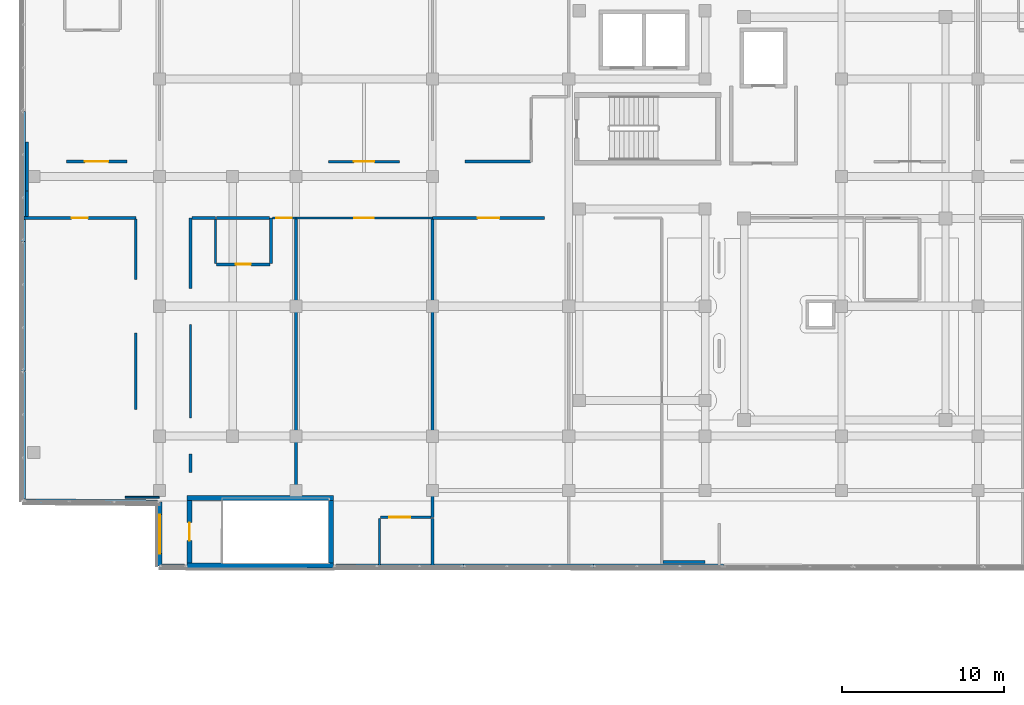
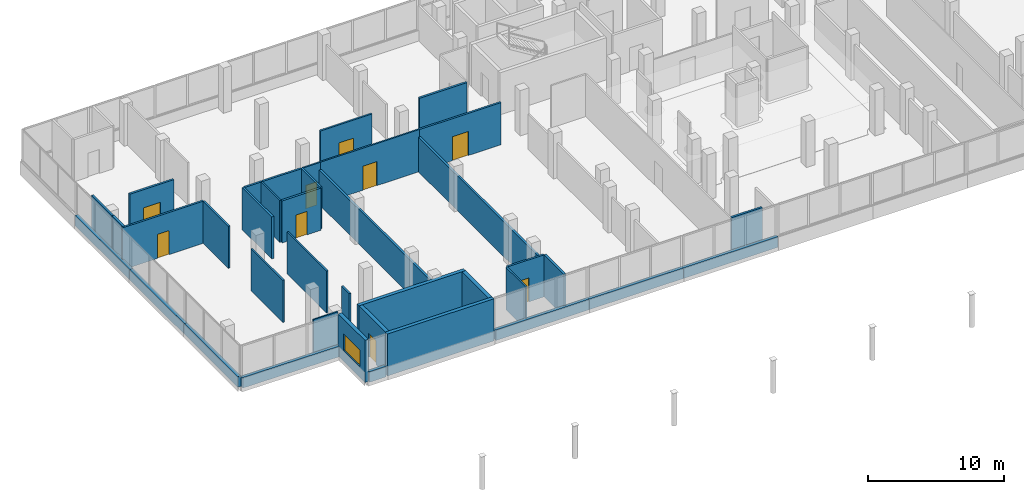
# One storey, part 84 of 101: 39 walls, 9 doors, 1 window, 10 openings.
"""IFC4 building model written with IfcOpenShell, lengths in metres."""

from ifc_helpers import new_model, si_unit, direction, frame, frame_2d, origin, place, context, subcontext, project, spatial, rectangle, extrude, material, layer, layer_set, type_object, element, fill, save


model = new_model("IFC4")

# Units and contexts
model_context = context("Model", 3, precision=1e-05, world=origin(), true_north=direction((0.0, 1.0)))
body_context = subcontext(model_context, "Body", "Model", "MODEL_VIEW")
ifc_project = project(units=[si_unit("LENGTHUNIT", "METRE"), si_unit("AREAUNIT", "SQUARE_METRE"), si_unit("VOLUMEUNIT", "CUBIC_METRE"), si_unit("PLANEANGLEUNIT", "RADIAN"), si_unit("MASSUNIT", "GRAM", prefix="KILO")], contexts=[model_context])

# Site, building, storey
site_placement = place(None, origin())
site = spatial("IfcSite", under=ifc_project, at=site_placement, CompositionType="ELEMENT")
building_placement = place(site_placement, origin())
building = spatial("IfcBuilding", under=site, at=building_placement, Name="Selatvlak General Hospital", CompositionType="ELEMENT")
storey_placement = place(building_placement, frame((0.0, 0.0, 19.199951171875)))
storey = spatial("IfcBuildingStorey", under=building, at=storey_placement, Name="L04", CompositionType="ELEMENT", Elevation=19.199951171875)

# Wall, opening, window
ifc_material_1 = material(Name="Precast concrete C40/50 - white fair-faced", Category="concrete")
ifc_layer_1 = layer(ifc_material_1, 0.300048828125, Name="Precast concrete C40/50 - white fair-faced", Category="concrete")
ifc_layer_set_1 = layer_set([ifc_layer_1], Name="Precast concrete C40/50 - white fair-faced")
wall_type_1 = type_object("IfcWallType", Name="WALL-EW-01", PredefinedType="SOLIDWALL", material=ifc_layer_set_1)
wall_1_placement = place(storey_placement, frame((22.801025390625, 84.0, 0.0), z_axis=(0.0, 0.0, 1.0), x_axis=(-0.000247862181, 0.999999969282, 0.0)))
wall_1 = element("IfcWall", 1, at=wall_1_placement, inside=storey, type_object=wall_type_1, Name="L04 exterior wall 0474", PredefinedType="SOLIDWALL", context=body_context, shape_type="SweptSolid", body=[
    extrude(rectangle(XDim=3.93994140625, YDim=0.300048828125, at=frame_2d((1.969970703125, 0.0))), origin(), (0.0, 0.0, 1.0), 3.77001953125),
])
opening_1_placement = place(wall_1_placement, frame((0.77001953125, 0.0, 0.9599609375)))
opening_1 = element("IfcOpeningElement", 2, at=opening_1_placement, cuts=wall_1, Name="Opening WN-07", PredefinedType="OPENING", context=body_context, shape_type="SweptSolid", body=[
    extrude(rectangle(XDim=2.39990234375, YDim=1.5, at=frame_2d((1.199951171875, 0.75))), frame((0.0, 0.159912109375, 0.0), z_axis=(0.0, -1.0, 0.0), x_axis=(1.0, 0.0, 0.0)), (0.0, 0.0, 1.0), 0.320068359375),
])
ifc_material_2 = material(Name="Thermally broken aluminium Low-E window", Category="aluminium")
window_type = type_object("IfcWindowType", Name="WIN-WN-07", PartitioningType="SINGLE_PANEL", PredefinedType="WINDOW", material=ifc_material_2)
window_placement = place(opening_1_placement, origin())
window = element("IfcWindow", 3, at=window_placement, inside=storey, type_object=window_type, Name="L04 clinical facade window 0096", OverallHeight=1.5, OverallWidth=2.39990234375, PartitioningType="SINGLE_PANEL", PredefinedType="WINDOW", context=body_context, shape_type="SweptSolid", body=[
    extrude(rectangle(XDim=2.39990234375, YDim=1.5, at=frame_2d((1.199951171875, 0.75))), frame((0.0, 0.030029296875, 0.0), z_axis=(0.0, -1.0, 0.0), x_axis=(1.0, 0.0, 0.0)), (0.0, 0.0, 1.0), 0.06005859375),
])
fill(opening_1, window)

# Walls
ifc_material_3 = material(Name="Precast concrete C40/50 - white Bauhaus spandrel", Category="concrete")
ifc_layer_2 = layer(ifc_material_3, 0.280029296875, Name="Precast concrete C40/50 - white Bauhaus spandrel", Category="concrete")
ifc_layer_set_2 = layer_set([ifc_layer_2], Name="Precast concrete C40/50 - white Bauhaus spandrel")
wall_type_2 = type_object("IfcWallType", Name="WALL-EW-02", PredefinedType="SOLIDWALL", material=ifc_layer_set_2)
wall_2_placement = place(storey_placement, frame((14.39990234375, 88.139892578125, 0.0), z_axis=(0.0, 0.0, 1.0), x_axis=(0.0, 1.0, 0.0)))
element("IfcWall", 4, at=wall_2_placement, inside=storey, type_object=wall_type_2, Name="L04 Bauhaus spandrel sill wall 0426", PredefinedType="SOLIDWALL", context=body_context, shape_type="SweptSolid", body=[
    extrude(rectangle(XDim=7.858154296875, YDim=0.280029296875, at=frame_2d((3.92919921875, 0.0))), origin(), (0.0, 0.0, 1.0), 0.93994140625),
])
wall_3_placement = place(storey_placement, frame((14.39990234375, 96.001953125, 0.0), z_axis=(0.0, 0.0, 1.0), x_axis=(0.0, 1.0, 0.0)))
element("IfcWall", 5, at=wall_3_placement, inside=storey, type_object=wall_type_2, Name="L04 Bauhaus spandrel sill wall 0427", PredefinedType="SOLIDWALL", context=body_context, shape_type="SweptSolid", body=[
    extrude(rectangle(XDim=7.9951171875, YDim=0.280029296875, at=frame_2d((3.99755859375, 0.0))), origin(), (0.0, 0.0, 1.0), 0.93994140625),
])
wall_4_placement = place(storey_placement, frame((14.39990234375, 104.0009765625, 0.0), z_axis=(0.0, 0.0, 1.0), x_axis=(0.0, 1.0, 0.0)))
element("IfcWall", 6, at=wall_4_placement, inside=storey, type_object=wall_type_2, Name="L04 Bauhaus spandrel sill wall 0428", PredefinedType="SOLIDWALL", context=body_context, shape_type="SweptSolid", body=[
    extrude(rectangle(XDim=7.99609375, YDim=0.280029296875, at=frame_2d((3.998046875, 0.0))), origin(), (0.0, 0.0, 1.0), 0.93994140625),
])
for number, where, z_axis, x_axis, name in (
    (7, (57.5419921875, 83.97705078125, 0.0), (0.0, 0.0, 1.0), (-0.999999813917, 0.000610053571, 0.0), "L04 Bauhaus spandrel sill wall 0470"),
    (8, (49.533935546875, 83.98193359375, 0.0), (0.0, 0.0, 1.0), (-0.999999709246, 0.000762566884, 0.0), "L04 Bauhaus spandrel sill wall 0471"),
):
    element("IfcWall", number, at=place(storey_placement, frame(where, z_axis=z_axis, x_axis=x_axis)), inside=storey, type_object=wall_type_2, Name=name, PredefinedType="SOLIDWALL", context=body_context, shape_type="SweptSolid", body=[
        extrude(rectangle(XDim=8.00390625, YDim=0.280029296875, at=frame_2d((4.001953125, 0.0))), origin(), (0.0, 0.0, 1.0), 0.93994140625),
    ])
wall_5_placement = place(storey_placement, frame((41.52587890625, 83.988037109375, 0.0), z_axis=(0.0, 0.0, 1.0), x_axis=(-0.999999807334, 0.000620751611, 0.0)))
element("IfcWall", 9, at=wall_5_placement, inside=storey, type_object=wall_type_2, Name="L04 Bauhaus spandrel sill wall 0472", PredefinedType="SOLIDWALL", context=body_context, shape_type="SweptSolid", body=[
    extrude(rectangle(XDim=7.865966796875, YDim=0.280029296875, at=frame_2d((3.93310546875, 0.0))), origin(), (0.0, 0.0, 1.0), 0.93994140625),
])
wall_6_placement = place(storey_placement, frame((24.340087890625, 83.9990234375, 0.0), z_axis=(0.0, 0.0, 1.0), x_axis=(-0.999999756427, 0.000697958301, 0.0)))
element("IfcWall", 10, at=wall_6_placement, inside=storey, type_object=wall_type_2, Name="L04 Bauhaus spandrel sill wall 0473", PredefinedType="SOLIDWALL", context=body_context, shape_type="SweptSolid", body=[
    extrude(rectangle(XDim=1.399169921875, YDim=0.280029296875, at=frame_2d((0.69970703125, 0.0))), origin(), (0.0, 0.0, 1.0), 0.93994140625),
])
wall_7_placement = place(storey_placement, frame((22.659912109375, 87.94091796875, 0.0), z_axis=(0.0, 0.0, 1.0), x_axis=(-0.999974397117, 0.007155774573, 0.0)))
element("IfcWall", 11, at=wall_7_placement, inside=storey, type_object=wall_type_2, Name="L04 Bauhaus spandrel sill wall 0475", PredefinedType="SOLIDWALL", context=body_context, shape_type="SweptSolid", body=[
    extrude(rectangle(XDim=8.1201171875, YDim=0.280029296875, at=frame_2d((4.06005859375, 0.0))), origin(), (0.0, 0.0, 1.0), 0.93994140625),
])
ifc_material_4 = material(Name="Acoustic gypsum stud partition")
ifc_layer_3 = layer(ifc_material_4, 0.179931640625, Name="Acoustic gypsum stud partition")
ifc_layer_set_3 = layer_set([ifc_layer_3], Name="Acoustic gypsum stud partition")
wall_type_3 = type_object("IfcWallType", Name="WALL-PT-01", PredefinedType="PARTITIONING", material=ifc_layer_set_3)
wall_8_placement = place(storey_placement, frame((14.639892578125, 107.10009765625, 0.0), z_axis=(0.0, 0.0, 1.0), x_axis=(0.0, -1.0, 0.0)))
element("IfcWall", 12, at=wall_8_placement, inside=storey, type_object=wall_type_3, Name="L04 clinical partition PT-L04-1695", PredefinedType="PARTITIONING", context=body_context, shape_type="SweptSolid", body=[
    extrude(rectangle(XDim=1.5810546875, YDim=0.179931640625, at=frame_2d((0.79052734375, 0.0))), origin(), (0.0, 0.0, 1.0), 3.77001953125),
])
wall_9_placement = place(storey_placement, frame((24.7099609375, 101.10693359375, 0.0), z_axis=(0.0, 0.0, 1.0), x_axis=(0.0, 1.0, 0.0)))
element("IfcWall", 13, at=wall_9_placement, inside=storey, type_object=wall_type_3, Name="L04 clinical partition PT-L04-1698", PredefinedType="PARTITIONING", context=body_context, shape_type="SweptSolid", body=[
    extrude(rectangle(XDim=4.3330078125, YDim=0.179931640625, at=frame_2d((2.16650390625, 0.0))), origin(), (0.0, 0.0, 1.0), 3.77001953125),
])

# Wall, opening, door
wall_10_placement = place(storey_placement, frame((26.304931640625, 102.580078125, 0.0), z_axis=(0.0, 0.0, 1.0), x_axis=(1.0, 0.0, 0.0)))
wall_10 = element("IfcWall", 14, at=wall_10_placement, inside=storey, type_object=wall_type_3, Name="L04 clinical partition PT-L04-1701", PredefinedType="PARTITIONING", context=body_context, shape_type="SweptSolid", body=[
    extrude(rectangle(XDim=3.300048828125, YDim=0.179931640625, at=frame_2d((1.64990234375, 0.0))), origin(), (0.0, 0.0, 1.0), 3.77001953125),
])
opening_2_placement = place(wall_10_placement, frame((1.175048828125, 0.0, 0.0)))
opening_2 = element("IfcOpeningElement", 15, at=opening_2_placement, cuts=wall_10, Name="Opening D-02", PredefinedType="OPENING", context=body_context, shape_type="SweptSolid", body=[
    extrude(rectangle(XDim=0.949951171875, YDim=2.10009765625, at=frame_2d((0.47509765625, 1.050048828125))), frame((0.0, 0.099853515625, 0.0), z_axis=(0.0, -1.0, 0.0), x_axis=(1.0, 0.0, 0.0)), (0.0, 0.0, 1.0), 0.199951171875),
])
ifc_material_5 = material(Name="Moisture-resistant en-suite door")
door_type_1 = type_object("IfcDoorType", Name="DOOR-D-02", OperationType="NOTDEFINED", PredefinedType="DOOR", material=ifc_material_5)
door_1_placement = place(opening_2_placement, origin())
door_1 = element("IfcDoor", 16, at=door_1_placement, inside=storey, type_object=door_type_1, Name="L04 Patient En-Suite WC 08 door", OperationType="SINGLE_SWING_LEFT", OverallHeight=2.10009765625, OverallWidth=0.949951171875, PredefinedType="DOOR", context=body_context, shape_type="SweptSolid", body=[
    extrude(rectangle(XDim=0.949951171875, YDim=2.10009765625, at=frame_2d((0.47509765625, 1.050048828125))), frame((0.0, 0.02490234375, 0.0), z_axis=(0.0, -1.0, 0.0), x_axis=(1.0, 0.0, 0.0)), (0.0, 0.0, 1.0), 0.050048828125),
])
fill(opening_2, door_1)

# Walls
wall_11_placement = place(storey_placement, frame((31.199951171875, 105.3759765625, 0.0), z_axis=(0.0, 0.0, 1.0), x_axis=(0.0, -1.0, 0.0)))
element("IfcWall", 17, at=wall_11_placement, inside=storey, type_object=wall_type_3, Name="L04 clinical partition PT-L04-1704", PredefinedType="PARTITIONING", context=body_context, shape_type="SweptSolid", body=[
    extrude(rectangle(XDim=17.029052734375, YDim=0.179931640625, at=frame_2d((8.5146484375, 0.0))), origin(), (0.0, 0.0, 1.0), 3.1201171875),
])
wall_12_placement = place(storey_placement, frame((39.60009765625, 105.3759765625, 0.0), z_axis=(0.0, 0.0, 1.0), x_axis=(0.0, -1.0, 0.0)))
element("IfcWall", 18, at=wall_12_placement, inside=storey, type_object=wall_type_3, Name="L04 clinical partition PT-L04-1707", PredefinedType="PARTITIONING", context=body_context, shape_type="SweptSolid", body=[
    extrude(rectangle(XDim=18.3759765625, YDim=0.179931640625, at=frame_2d((9.18798828125, 0.0))), origin(), (0.0, 0.0, 1.0), 3.1201171875),
])
wall_13_placement = place(storey_placement, frame((39.60009765625, 86.93994140625, 0.0), z_axis=(0.0, 0.0, 1.0), x_axis=(0.0, -1.0, 0.0)))
element("IfcWall", 19, at=wall_13_placement, inside=storey, type_object=wall_type_3, Name="L04 clinical partition PT-L04-1710", PredefinedType="PARTITIONING", context=body_context, shape_type="SweptSolid", body=[
    extrude(rectangle(XDim=2.908935546875, YDim=0.179931640625, at=frame_2d((1.45458984375, 0.0))), origin(), (0.0, 0.0, 1.0), 3.77001953125),
])
wall_14_placement = place(storey_placement, frame((53.7958984375, 84.239990234375, 0.0), z_axis=(0.0, 0.0, 1.0), x_axis=(1.0, 0.0, 0.0)))
element("IfcWall", 20, at=wall_14_placement, inside=storey, type_object=wall_type_3, Name="L04 clinical partition PT-L04-1715", PredefinedType="PARTITIONING", context=body_context, shape_type="SweptSolid", body=[
    extrude(rectangle(XDim=2.60400390625, YDim=0.179931640625, at=frame_2d((1.302001953125, 0.0))), origin(), (0.0, 0.0, 1.0), 3.77001953125),
])

# Wall, opening, door
wall_15_placement = place(storey_placement, frame((20.7890625, 108.909912109375, 0.0), z_axis=(0.0, 0.0, 1.0), x_axis=(-1.0, 0.0, 0.0)))
wall_15 = element("IfcWall", 21, at=wall_15_placement, inside=storey, type_object=wall_type_3, Name="L04 clinical partition PT-L04-1782", PredefinedType="PARTITIONING", context=body_context, shape_type="SweptSolid", body=[
    extrude(rectangle(XDim=3.72802734375, YDim=0.179931640625, at=frame_2d((1.864013671875, 0.0))), origin(), (0.0, 0.0, 1.0), 3.77001953125),
])
opening_3_placement = place(wall_15_placement, frame((1.138916015625, 0.0, 0.0)))
opening_3 = element("IfcOpeningElement", 22, at=opening_3_placement, cuts=wall_15, Name="Opening D-12", PredefinedType="OPENING", context=body_context, shape_type="SweptSolid", body=[
    extrude(rectangle(XDim=1.449951171875, YDim=2.14990234375, at=frame_2d((0.72509765625, 1.074951171875))), frame((0.0, 0.099853515625, 0.0), z_axis=(0.0, -1.0, 0.0), x_axis=(1.0, 0.0, 0.0)), (0.0, 0.0, 1.0), 0.199951171875),
])
ifc_material_6 = material(Name="Isolation anteroom door")
door_type_2 = type_object("IfcDoorType", Name="DOOR-D-12", OperationType="NOTDEFINED", PredefinedType="DOOR", material=ifc_material_6)
door_2_placement = place(opening_3_placement, origin())
door_2 = element("IfcDoor", 23, at=door_2_placement, inside=storey, type_object=door_type_2, Name="L04 Single Patient Room 26 door", OperationType="SINGLE_SWING_RIGHT", OverallHeight=2.14990234375, OverallWidth=1.449951171875, PredefinedType="DOOR", context=body_context, shape_type="SweptSolid", body=[
    extrude(rectangle(XDim=1.449951171875, YDim=2.14990234375, at=frame_2d((0.72509765625, 1.074951171875))), frame((0.0, 0.02490234375, 0.0), z_axis=(0.0, -1.0, 0.0), x_axis=(1.0, 0.0, 0.0)), (0.0, 0.0, 1.0), 0.050048828125),
])
fill(opening_3, door_2)

# Wall
wall_16_placement = place(storey_placement, frame((45.634033203125, 108.909912109375, 0.0), z_axis=(0.0, 0.0, 1.0), x_axis=(-1.0, 0.0, 0.0)))
element("IfcWall", 24, at=wall_16_placement, inside=storey, type_object=wall_type_3, Name="L04 clinical partition PT-L04-1795", PredefinedType="PARTITIONING", context=body_context, shape_type="SweptSolid", body=[
    extrude(rectangle(XDim=4.02294921875, YDim=0.179931640625, at=frame_2d((2.011474609375, 0.0))), origin(), (0.0, 0.0, 1.0), 3.77001953125),
])

# Wall, opening, door
ifc_layer_4 = layer(ifc_material_4, 0.1650390625, Name="Acoustic gypsum stud partition")
ifc_layer_set_4 = layer_set([ifc_layer_4], Name="Acoustic gypsum stud partition")
wall_type_4 = type_object("IfcWallType", Name="WALL-PT-02", PredefinedType="PARTITIONING", material=ifc_layer_set_4)
wall_17_placement = place(storey_placement, frame((14.44189453125, 105.43994140625, 0.0), z_axis=(0.0, 0.0, 1.0), x_axis=(1.0, 0.0, 0.0)))
wall_17 = element("IfcWall", 25, at=wall_17_placement, inside=storey, type_object=wall_type_4, Name="L04 clinical partition PT-L04-1691", PredefinedType="PARTITIONING", context=body_context, shape_type="SweptSolid", body=[
    extrude(rectangle(XDim=6.898193359375, YDim=0.1650390625, at=frame_2d((3.44921875, 0.0))), origin(), (0.0, 0.0, 1.0), 3.77001953125),
])
opening_4_placement = place(wall_17_placement, frame((2.948974609375, 0.0, 0.0)))
opening_4 = element("IfcOpeningElement", 26, at=opening_4_placement, cuts=wall_17, Name="Opening D-21", PredefinedType="OPENING", context=body_context, shape_type="SweptSolid", body=[
    extrude(rectangle(XDim=1.0, YDim=2.14990234375, at=frame_2d((0.5, 1.074951171875))), frame((0.0, 0.092529296875, 0.0), z_axis=(0.0, -1.0, 0.0), x_axis=(1.0, 0.0, 0.0)), (0.0, 0.0, 1.0), 0.18505859375),
])
ifc_material_7 = material(Name="Laboratory fire door")
door_type_3 = type_object("IfcDoorType", Name="DOOR-D-21", OperationType="NOTDEFINED", PredefinedType="DOOR", material=ifc_material_7)
door_3_placement = place(opening_4_placement, origin())
door_3 = element("IfcDoor", 27, at=door_3_placement, inside=storey, type_object=door_type_3, Name="L04 Paediatric Inpatient Ward Bay 07 door", OperationType="SINGLE_SWING_LEFT", OverallHeight=2.14990234375, OverallWidth=1.0, PredefinedType="DOOR", context=body_context, shape_type="SweptSolid", body=[
    extrude(rectangle(XDim=1.0, YDim=2.14990234375, at=frame_2d((0.5, 1.074951171875))), frame((0.0, 0.02490234375, 0.0), z_axis=(0.0, -1.0, 0.0), x_axis=(1.0, 0.0, 0.0)), (0.0, 0.0, 1.0), 0.050048828125),
])
fill(opening_4, door_3)

# Walls
wall_18_placement = place(storey_placement, frame((24.7099609375, 89.757080078125, 0.0), z_axis=(0.0, 0.0, 1.0), x_axis=(0.0, 1.0, 0.0)))
element("IfcWall", 28, at=wall_18_placement, inside=storey, type_object=wall_type_4, Name="L04 clinical partition PT-L04-1696", PredefinedType="PARTITIONING", context=body_context, shape_type="SweptSolid", body=[
    extrude(rectangle(XDim=1.135986328125, YDim=0.1650390625, at=frame_2d((0.56787109375, 0.0))), origin(), (0.0, 0.0, 1.0), 3.77001953125),
])
wall_19_placement = place(storey_placement, frame((24.7958984375, 105.43994140625, 0.0), z_axis=(0.0, 0.0, 1.0), x_axis=(1.0, 0.0, 0.0)))
element("IfcWall", 29, at=wall_19_placement, inside=storey, type_object=wall_type_4, Name="L04 clinical partition PT-L04-1699", PredefinedType="PARTITIONING", context=body_context, shape_type="SweptSolid", body=[
    extrude(rectangle(XDim=1.44921875, YDim=0.1650390625, at=frame_2d((0.724609375, 0.0))), origin(), (0.0, 0.0, 1.0), 3.77001953125),
])
wall_20_placement = place(storey_placement, frame((29.6650390625, 102.639892578125, 0.0), z_axis=(0.0, 0.0, 1.0), x_axis=(0.0, 1.0, 0.0)))
element("IfcWall", 30, at=wall_20_placement, inside=storey, type_object=wall_type_4, Name="L04 clinical partition PT-L04-1702", PredefinedType="PARTITIONING", context=body_context, shape_type="SweptSolid", body=[
    extrude(rectangle(XDim=2.800048828125, YDim=0.1650390625, at=frame_2d((1.39990234375, 0.0))), origin(), (0.0, 0.0, 1.0), 3.77001953125),
])
wall_21_placement = place(storey_placement, frame((26.304931640625, 105.43994140625, 0.0), z_axis=(0.0, 0.0, 1.0), x_axis=(1.0, 0.0, 0.0)))
element("IfcWall", 31, at=wall_21_placement, inside=storey, type_object=wall_type_4, Name="L04 clinical partition PT-L04-1705", PredefinedType="PARTITIONING", context=body_context, shape_type="SweptSolid", body=[
    extrude(rectangle(XDim=3.281982421875, YDim=0.1650390625, at=frame_2d((1.64111328125, 0.0))), origin(), (0.0, 0.0, 1.0), 3.77001953125),
])

# Wall, opening, door
wall_22_placement = place(storey_placement, frame((39.513916015625, 87.0, 0.0), z_axis=(0.0, 0.0, 1.0), x_axis=(-1.0, 0.0, 0.0)))
wall_22 = element("IfcWall", 32, at=wall_22_placement, inside=storey, type_object=wall_type_4, Name="L04 clinical partition PT-L04-1708", PredefinedType="PARTITIONING", context=body_context, shape_type="SweptSolid", body=[
    extrude(rectangle(XDim=3.114013671875, YDim=0.1650390625, at=frame_2d((1.55712890625, 0.0))), origin(), (0.0, 0.0, 1.0), 3.77001953125),
])
opening_5_placement = place(wall_22_placement, frame((1.281005859375, 0.0, 0.0)))
opening_5 = element("IfcOpeningElement", 33, at=opening_5_placement, cuts=wall_22, Name="Opening D-09", PredefinedType="OPENING", context=body_context, shape_type="SweptSolid", body=[
    extrude(rectangle(XDim=1.300048828125, YDim=2.14990234375, at=frame_2d((0.64990234375, 1.074951171875))), frame((0.0, 0.092529296875, 0.0), z_axis=(0.0, -1.0, 0.0), x_axis=(1.0, 0.0, 0.0)), (0.0, 0.0, 1.0), 0.18505859375),
])
ifc_material_8 = material(Name="Outpatient procedure door")
door_type_4 = type_object("IfcDoorType", Name="DOOR-D-09", OperationType="NOTDEFINED", PredefinedType="DOOR", material=ifc_material_8)
door_4_placement = place(opening_5_placement, origin())
door_4 = element("IfcDoor", 34, at=door_4_placement, inside=storey, type_object=door_type_4, Name="L04 Patient En-Suite WC 09 door", OperationType="SINGLE_SWING_LEFT", OverallHeight=2.14990234375, OverallWidth=1.300048828125, PredefinedType="DOOR", context=body_context, shape_type="SweptSolid", body=[
    extrude(rectangle(XDim=1.300048828125, YDim=2.14990234375, at=frame_2d((0.64990234375, 1.074951171875))), frame((0.0, 0.02490234375, 0.0), z_axis=(0.0, -1.0, 0.0), x_axis=(1.0, 0.0, 0.0)), (0.0, 0.0, 1.0), 0.050048828125),
])
fill(opening_5, door_4)

wall_23_placement = place(storey_placement, frame((39.60009765625, 105.43994140625, 0.0), z_axis=(0.0, 0.0, 1.0), x_axis=(1.0, 0.0, 0.0)))
wall_23 = element("IfcWall", 35, at=wall_23_placement, inside=storey, type_object=wall_type_4, Name="L04 clinical partition PT-L04-1711", PredefinedType="PARTITIONING", context=body_context, shape_type="SweptSolid", body=[
    extrude(rectangle(XDim=6.914794921875, YDim=0.1650390625, at=frame_2d((3.45751953125, 0.0))), origin(), (0.0, 0.0, 1.0), 3.77001953125),
])
opening_6_placement = place(wall_23_placement, frame((2.781982421875, 0.0, 0.0)))
opening_6 = element("IfcOpeningElement", 36, at=opening_6_placement, cuts=wall_23, Name="Opening D-10", PredefinedType="OPENING", context=body_context, shape_type="SweptSolid", body=[
    extrude(rectangle(XDim=1.35009765625, YDim=2.14990234375, at=frame_2d((0.675048828125, 1.074951171875))), frame((0.0, 0.092529296875, 0.0), z_axis=(0.0, -1.0, 0.0), x_axis=(1.0, 0.0, 0.0)), (0.0, 0.0, 1.0), 0.18505859375),
])
ifc_material_9 = material(Name="Single patient bed door")
door_type_5 = type_object("IfcDoorType", Name="DOOR-D-10", OperationType="NOTDEFINED", PredefinedType="DOOR", material=ifc_material_9)
door_5_placement = place(opening_6_placement, origin())
door_5 = element("IfcDoor", 37, at=door_5_placement, inside=storey, type_object=door_type_5, Name="L04 Multidisciplinary Rehabilitation Gymnasium 10 door", OperationType="SINGLE_SWING_RIGHT", OverallHeight=2.14990234375, OverallWidth=1.35009765625, PredefinedType="DOOR", context=body_context, shape_type="SweptSolid", body=[
    extrude(rectangle(XDim=1.35009765625, YDim=2.14990234375, at=frame_2d((0.675048828125, 1.074951171875))), frame((0.0, 0.02490234375, 0.0), z_axis=(0.0, -1.0, 0.0), x_axis=(1.0, 0.0, 0.0)), (0.0, 0.0, 1.0), 0.050048828125),
])
fill(opening_6, door_5)

# Walls
wall_24_placement = place(storey_placement, frame((14.639892578125, 110.118896484375, 0.0), z_axis=(0.0, 0.0, 1.0), x_axis=(0.0, -1.0, 0.0)))
element("IfcWall", 38, at=wall_24_placement, inside=storey, type_object=wall_type_4, Name="L04 clinical partition PT-L04-1783", PredefinedType="PARTITIONING", context=body_context, shape_type="SweptSolid", body=[
    extrude(rectangle(XDim=3.018798828125, YDim=0.1650390625, at=frame_2d((1.50927734375, 0.0))), origin(), (0.0, 0.0, 1.0), 3.77001953125),
])
ifc_layer_5 = layer(ifc_material_4, 0.14990234375, Name="Acoustic gypsum stud partition")
ifc_layer_set_5 = layer_set([ifc_layer_5], Name="Acoustic gypsum stud partition")
wall_type_5 = type_object("IfcWallType", Name="WALL-PT-03", PredefinedType="PARTITIONING", material=ifc_layer_set_5)
wall_25_placement = place(storey_placement, frame((21.340087890625, 105.361083984375, 0.0), z_axis=(0.0, 0.0, 1.0), x_axis=(0.0, -1.0, 0.0)))
element("IfcWall", 39, at=wall_25_placement, inside=storey, type_object=wall_type_5, Name="L04 clinical partition PT-L04-1692", PredefinedType="PARTITIONING", context=body_context, shape_type="SweptSolid", body=[
    extrude(rectangle(XDim=3.705078125, YDim=0.14990234375, at=frame_2d((1.8525390625, 0.0))), origin(), (0.0, 0.0, 1.0), 3.77001953125),
])

# Wall, opening, door
wall_26_placement = place(storey_placement, frame((37.589111328125, 108.909912109375, 0.0), z_axis=(0.0, 0.0, 1.0), x_axis=(-1.0, 0.0, 0.0)))
wall_26 = element("IfcWall", 40, at=wall_26_placement, inside=storey, type_object=wall_type_5, Name="L04 clinical partition PT-L04-1792", PredefinedType="PARTITIONING", context=body_context, shape_type="SweptSolid", body=[
    extrude(rectangle(XDim=4.378173828125, YDim=0.14990234375, at=frame_2d((2.18896484375, 0.0))), origin(), (0.0, 0.0, 1.0), 3.77001953125),
])
opening_7_placement = place(wall_26_placement, frame((1.56396484375, 0.0, 0.0)))
opening_7 = element("IfcOpeningElement", 41, at=opening_7_placement, cuts=wall_26, Name="Opening D-08", PredefinedType="OPENING", context=body_context, shape_type="SweptSolid", body=[
    extrude(rectangle(XDim=1.25, YDim=2.14990234375, at=frame_2d((0.625, 1.074951171875))), frame((0.0, 0.0849609375, 0.0), z_axis=(0.0, -1.0, 0.0), x_axis=(1.0, 0.0, 0.0)), (0.0, 0.0, 1.0), 0.169921875),
])
ifc_material_10 = material(Name="Diagnostic treatment door")
door_type_6 = type_object("IfcDoorType", Name="DOOR-D-08", OperationType="NOTDEFINED", PredefinedType="DOOR", material=ifc_material_10)
door_6_placement = place(opening_7_placement, origin())
door_6 = element("IfcDoor", 42, at=door_6_placement, inside=storey, type_object=door_type_6, Name="L04 Paediatric Play Therapy Room 28 door", OperationType="SINGLE_SWING_RIGHT", OverallHeight=2.14990234375, OverallWidth=1.25, PredefinedType="DOOR", context=body_context, shape_type="SweptSolid", body=[
    extrude(rectangle(XDim=1.25, YDim=2.14990234375, at=frame_2d((0.625, 1.074951171875))), frame((0.0, 0.02490234375, 0.0), z_axis=(0.0, -1.0, 0.0), x_axis=(1.0, 0.0, 0.0)), (0.0, 0.0, 1.0), 0.050048828125),
])
fill(opening_7, door_6)

# Walls
ifc_material_11 = material(Name="Moisture-resistant clinical partition")
ifc_layer_6 = layer(ifc_material_11, 0.135009765625, Name="Moisture-resistant clinical partition")
ifc_layer_set_6 = layer_set([ifc_layer_6], Name="Moisture-resistant clinical partition")
wall_type_6 = type_object("IfcWallType", Name="WALL-PT-04", PredefinedType="PARTITIONING", material=ifc_layer_set_6)
wall_27_placement = place(storey_placement, frame((21.340087890625, 98.343994140625, 0.0), z_axis=(0.0, 0.0, 1.0), x_axis=(0.0, -1.0, 0.0)))
element("IfcWall", 43, at=wall_27_placement, inside=storey, type_object=wall_type_6, Name="L04 clinical partition PT-L04-1693", PredefinedType="PARTITIONING", context=body_context, shape_type="SweptSolid", body=[
    extrude(rectangle(XDim=4.68798828125, YDim=0.135009765625, at=frame_2d((2.343994140625, 0.0))), origin(), (0.0, 0.0, 1.0), 3.77001953125),
])
wall_28_placement = place(storey_placement, frame((24.7099609375, 93.10693359375, 0.0), z_axis=(0.0, 0.0, 1.0), x_axis=(0.0, 1.0, 0.0)))
element("IfcWall", 44, at=wall_28_placement, inside=storey, type_object=wall_type_6, Name="L04 clinical partition PT-L04-1697", PredefinedType="PARTITIONING", context=body_context, shape_type="SweptSolid", body=[
    extrude(rectangle(XDim=5.7861328125, YDim=0.135009765625, at=frame_2d((2.89306640625, 0.0))), origin(), (0.0, 0.0, 1.0), 3.77001953125),
])
wall_29_placement = place(storey_placement, frame((26.2451171875, 105.361083984375, 0.0), z_axis=(0.0, 0.0, 1.0), x_axis=(0.0, -1.0, 0.0)))
element("IfcWall", 45, at=wall_29_placement, inside=storey, type_object=wall_type_6, Name="L04 clinical partition PT-L04-1700", PredefinedType="PARTITIONING", context=body_context, shape_type="SweptSolid", body=[
    extrude(rectangle(XDim=2.72119140625, YDim=0.135009765625, at=frame_2d((1.360595703125, 0.0))), origin(), (0.0, 0.0, 1.0), 3.77001953125),
])

# Wall, opening, door
wall_30_placement = place(storey_placement, frame((29.742919921875, 105.43994140625, 0.0), z_axis=(0.0, 0.0, 1.0), x_axis=(1.0, 0.0, 0.0)))
wall_30 = element("IfcWall", 46, at=wall_30_placement, inside=storey, type_object=wall_type_6, Name="L04 clinical partition PT-L04-1703", PredefinedType="PARTITIONING", context=body_context, shape_type="SweptSolid", body=[
    extrude(rectangle(XDim=1.45703125, YDim=0.135009765625, at=frame_2d((0.728515625, 0.0))), origin(), (0.0, 0.0, 1.0), 3.77001953125),
])
opening_8_placement = place(wall_30_placement, frame((0.25390625, 0.0, 0.0)))
opening_8 = element("IfcOpeningElement", 47, at=opening_8_placement, cuts=wall_30, Name="Opening D-02", PredefinedType="OPENING", context=body_context, shape_type="SweptSolid", body=[
    extrude(rectangle(XDim=0.949951171875, YDim=2.10009765625, at=frame_2d((0.47509765625, 1.050048828125))), frame((0.0, 0.077392578125, 0.0), z_axis=(0.0, -1.0, 0.0), x_axis=(1.0, 0.0, 0.0)), (0.0, 0.0, 1.0), 0.155029296875),
])
door_7_placement = place(opening_8_placement, origin())
door_7 = element("IfcDoor", 48, at=door_7_placement, inside=storey, type_object=door_type_1, Name="L04 Single Patient Room 08 door", OperationType="SINGLE_SWING_RIGHT", OverallHeight=2.10009765625, OverallWidth=0.949951171875, PredefinedType="DOOR", context=body_context, shape_type="SweptSolid", body=[
    extrude(rectangle(XDim=0.949951171875, YDim=2.10009765625, at=frame_2d((0.47509765625, 1.050048828125))), frame((0.0, 0.02490234375, 0.0), z_axis=(0.0, -1.0, 0.0), x_axis=(1.0, 0.0, 0.0)), (0.0, 0.0, 1.0), 0.050048828125),
])
fill(opening_8, door_7)

wall_31_placement = place(storey_placement, frame((31.199951171875, 105.43994140625, 0.0), z_axis=(0.0, 0.0, 1.0), x_axis=(1.0, 0.0, 0.0)))
wall_31 = element("IfcWall", 49, at=wall_31_placement, inside=storey, type_object=wall_type_6, Name="L04 clinical partition PT-L04-1706", PredefinedType="PARTITIONING", context=body_context, shape_type="SweptSolid", body=[
    extrude(rectangle(XDim=8.400146484375, YDim=0.135009765625, at=frame_2d((4.2001953125, 0.0))), origin(), (0.0, 0.0, 1.0), 3.77001953125),
])
opening_9_placement = place(wall_31_placement, frame((3.60009765625, 0.0, 0.0)))
opening_9 = element("IfcOpeningElement", 50, at=opening_9_placement, cuts=wall_31, Name="Opening D-07", PredefinedType="OPENING", context=body_context, shape_type="SweptSolid", body=[
    extrude(rectangle(XDim=1.199951171875, YDim=2.14990234375, at=frame_2d((0.60009765625, 1.074951171875))), frame((0.0, 0.077392578125, 0.0), z_axis=(0.0, -1.0, 0.0), x_axis=(1.0, 0.0, 0.0)), (0.0, 0.0, 1.0), 0.155029296875),
])
ifc_material_12 = material(Name="Plant and store fire door")
door_type_7 = type_object("IfcDoorType", Name="DOOR-D-07", OperationType="NOTDEFINED", PredefinedType="DOOR", material=ifc_material_12)
door_8_placement = place(opening_9_placement, origin())
door_8 = element("IfcDoor", 51, at=door_8_placement, inside=storey, type_object=door_type_7, Name="L04 Maternity Postnatal Patient Room 09 door", OperationType="SINGLE_SWING_RIGHT", OverallHeight=2.14990234375, OverallWidth=1.199951171875, PredefinedType="DOOR", context=body_context, shape_type="SweptSolid", body=[
    extrude(rectangle(XDim=1.199951171875, YDim=2.14990234375, at=frame_2d((0.60009765625, 1.074951171875))), frame((0.0, 0.02490234375, 0.0), z_axis=(0.0, -1.0, 0.0), x_axis=(1.0, 0.0, 0.0)), (0.0, 0.0, 1.0), 0.050048828125),
])
fill(opening_9, door_8)

# Walls
wall_32_placement = place(storey_placement, frame((36.340087890625, 86.93994140625, 0.0), z_axis=(0.0, 0.0, 1.0), x_axis=(0.0, -1.0, 0.0)))
element("IfcWall", 52, at=wall_32_placement, inside=storey, type_object=wall_type_6, Name="L04 clinical partition PT-L04-1709", PredefinedType="PARTITIONING", context=body_context, shape_type="SweptSolid", body=[
    extrude(rectangle(XDim=2.906982421875, YDim=0.135009765625, at=frame_2d((1.45361328125, 0.0))), origin(), (0.0, 0.0, 1.0), 3.77001953125),
])
ifc_layer_7 = layer(ifc_material_11, 0.1201171875, Name="Moisture-resistant clinical partition")
ifc_layer_set_7 = layer_set([ifc_layer_7], Name="Moisture-resistant clinical partition")
wall_type_7 = type_object("IfcWallType", Name="WALL-PT-05", PredefinedType="PARTITIONING", material=ifc_layer_set_7)
wall_33_placement = place(storey_placement, frame((20.680908203125, 88.239990234375, 0.0), z_axis=(0.0, 0.0, 1.0), x_axis=(1.0, 0.0, 0.0)))
element("IfcWall", 53, at=wall_33_placement, inside=storey, type_object=wall_type_7, Name="L04 clinical partition PT-L04-1694", PredefinedType="PARTITIONING", context=body_context, shape_type="SweptSolid", body=[
    extrude(rectangle(XDim=2.093017578125, YDim=0.1201171875, at=frame_2d((1.04638671875, 0.0))), origin(), (0.0, 0.0, 1.0), 3.77001953125),
])
ifc_material_13 = material(Name="Concrete C45/55", Category="concrete")
ifc_layer_8 = layer(ifc_material_13, 0.300048828125, Name="Concrete C45/55", Category="concrete")
ifc_layer_set_8 = layer_set([ifc_layer_8], Name="Concrete C45/55")
wall_type_8 = type_object("IfcWallType", Name="WALL-SW-02", PredefinedType="SHEAR", material=ifc_layer_set_8)
wall_34_placement = place(storey_placement, frame((24.489990234375, 84.0400390625, 0.0), z_axis=(0.0, 0.0, 1.0), x_axis=(1.0, 0.0, 0.0)))
element("IfcWall", 54, at=wall_34_placement, inside=storey, type_object=wall_type_8, Name="ST-07 core shear wall L04 S", PredefinedType="SHEAR", context=body_context, shape_type="SweptSolid", body=[
    extrude(rectangle(XDim=9.02001953125, YDim=0.300048828125, at=frame_2d((4.510009765625, 0.0))), origin(), (0.0, 0.0, 1.0), 3.77001953125),
])
wall_35_placement = place(storey_placement, frame((33.360107421875, 84.18994140625, 0.0), z_axis=(0.0, 0.0, 1.0), x_axis=(0.0, 1.0, 0.0)))
element("IfcWall", 55, at=wall_35_placement, inside=storey, type_object=wall_type_8, Name="ST-07 core shear wall L04 E", PredefinedType="SHEAR", context=body_context, shape_type="SweptSolid", body=[
    extrude(rectangle(XDim=3.860107421875, YDim=0.300048828125, at=frame_2d((1.93017578125, 0.0))), origin(), (0.0, 0.0, 1.0), 3.77001953125),
])
wall_36_placement = place(storey_placement, frame((33.510009765625, 88.199951171875, 0.0), z_axis=(0.0, 0.0, 1.0), x_axis=(-1.0, 0.0, 0.0)))
element("IfcWall", 56, at=wall_36_placement, inside=storey, type_object=wall_type_8, Name="ST-07 core shear wall L04 N", PredefinedType="SHEAR", context=body_context, shape_type="SweptSolid", body=[
    extrude(rectangle(XDim=9.02001953125, YDim=0.300048828125, at=frame_2d((4.510009765625, 0.0))), origin(), (0.0, 0.0, 1.0), 3.77001953125),
])

# Wall, opening, door
wall_37_placement = place(storey_placement, frame((24.639892578125, 88.050048828125, 0.0), z_axis=(0.0, 0.0, 1.0), x_axis=(0.0, -1.0, 0.0)))
wall_37 = element("IfcWall", 57, at=wall_37_placement, inside=storey, type_object=wall_type_8, Name="ST-07 core shear wall L04 W", PredefinedType="SHEAR", context=body_context, shape_type="SweptSolid", body=[
    extrude(rectangle(XDim=3.860107421875, YDim=0.300048828125, at=frame_2d((1.93017578125, 0.0))), origin(), (0.0, 0.0, 1.0), 3.77001953125),
])
opening_10_placement = place(wall_37_placement, frame((1.3798828125, 0.0, 0.0)))
opening_10 = element("IfcOpeningElement", 58, at=opening_10_placement, cuts=wall_37, Name="Opening D-05", PredefinedType="OPENING", context=body_context, shape_type="SweptSolid", body=[
    extrude(rectangle(XDim=1.10009765625, YDim=2.14990234375, at=frame_2d((0.550048828125, 1.074951171875))), frame((0.0, 0.159912109375, 0.0), z_axis=(0.0, -1.0, 0.0), x_axis=(1.0, 0.0, 0.0)), (0.0, 0.0, 1.0), 0.320068359375),
])
ifc_material_14 = material(Name="Protected stair fire door")
door_type_8 = type_object("IfcDoorType", Name="DOOR-D-05", OperationType="NOTDEFINED", PredefinedType="DOOR", material=ifc_material_14)
door_9_placement = place(opening_10_placement, origin())
door_9 = element("IfcDoor", 59, at=door_9_placement, inside=storey, type_object=door_type_8, Name="ST-07 protected stair door on L04", OperationType="SINGLE_SWING_LEFT", OverallHeight=2.14990234375, OverallWidth=1.10009765625, PredefinedType="DOOR", context=body_context, shape_type="SweptSolid", body=[
    extrude(rectangle(XDim=1.10009765625, YDim=2.14990234375, at=frame_2d((0.550048828125, 1.074951171875))), frame((0.0, 0.02490234375, 0.0), z_axis=(0.0, -1.0, 0.0), x_axis=(1.0, 0.0, 0.0)), (0.0, 0.0, 1.0), 0.050048828125),
])
fill(opening_10, door_9)

save(model, "model.ifc")
